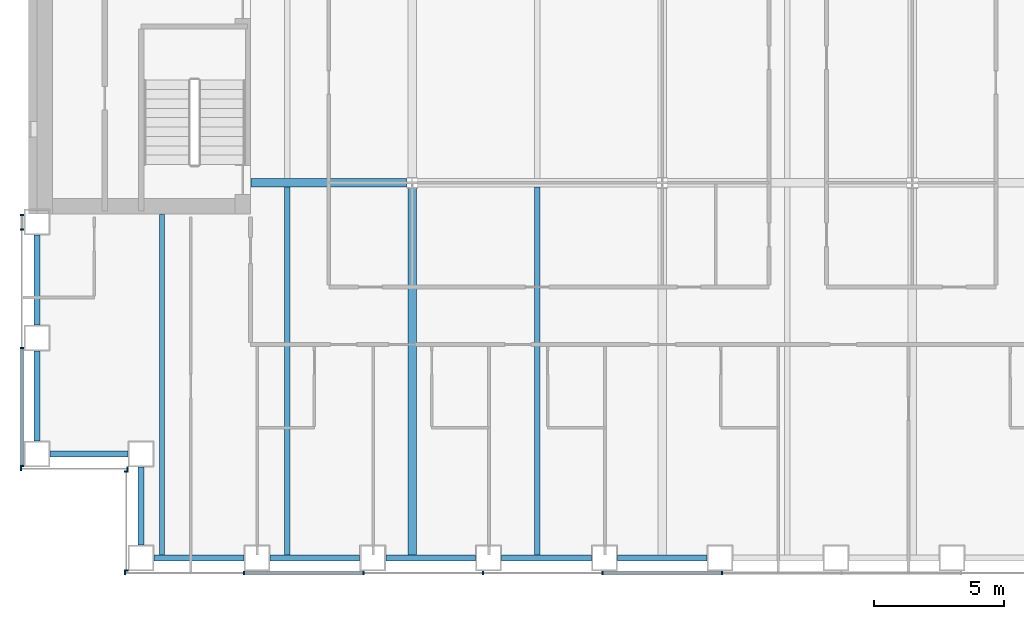
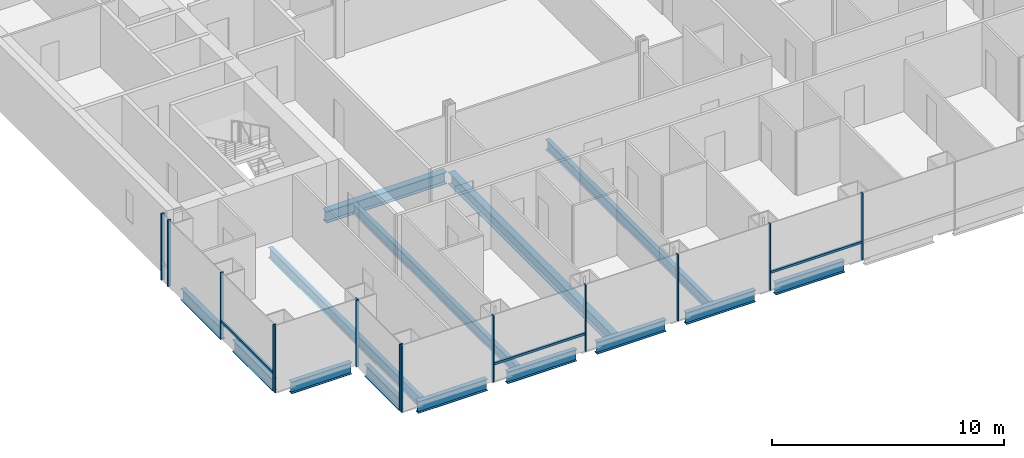
# One storey, part 2 of 23: 17 members, 14 beams, 4 elements without a shape of their own.
"""IFC4 building model written with IfcOpenShell, lengths in metres."""

from ifc_helpers import new_model, si_unit, direction, frame, origin, origin_2d, place, context, subcontext, project, spatial, rectangle, i_section, extrude, material, material_profile, profile_set, type_object, element, aggregate, save


model = new_model("IFC4")

# Units and contexts
model_context = context("Model", 3, precision=1e-05, world=origin(), true_north=direction((0.0, 1.0)))
body_context = subcontext(model_context, "Body", "Model", "MODEL_VIEW")
ifc_project = project(units=[si_unit("LENGTHUNIT", "METRE"), si_unit("AREAUNIT", "SQUARE_METRE"), si_unit("VOLUMEUNIT", "CUBIC_METRE"), si_unit("PLANEANGLEUNIT", "RADIAN"), si_unit("MASSUNIT", "GRAM", prefix="KILO")], contexts=[model_context])

# Site, building, storey
site_placement = place(None, origin())
site = spatial("IfcSite", under=ifc_project, at=site_placement, CompositionType="ELEMENT")
building_placement = place(site_placement, origin())
building = spatial("IfcBuilding", under=site, at=building_placement, Name="Cobrizo Arcos Hotel Tower", CompositionType="ELEMENT")
storey_placement = place(building_placement, frame((0.0, 0.0, 49.5)))
storey = spatial("IfcBuildingStorey", under=building, at=storey_placement, Name="L10", CompositionType="ELEMENT", Elevation=49.5)

# Curtain wall, members
ifc_material_1 = material(Name="Aluminium 6063-T6 anodised bronze", Category="aluminium")
curtain_wall_type = type_object("IfcCurtainWallType", Name="CW-A guest facade", PredefinedType="NOTDEFINED", material=ifc_material_1)
curtain_wall_1_placement = place(storey_placement, origin())
curtain_wall_1 = element("IfcCurtainWall", 1, at=curtain_wall_1_placement, inside=storey, type_object=curtain_wall_type, Name="CW-A L10 S face", PredefinedType="NOTDEFINED")
ifc_material_profile_1 = material_profile(ifc_material_1, rectangle(XDim=0.14990234375, YDim=0.06005859375, at=origin_2d()), Name="CW-A mullion 150x60")
ifc_profile_set_1 = profile_set([ifc_material_profile_1], Name="Aluminium 6063-T6 anodised bronze")
member_type_1 = type_object("IfcMemberType", Name="CW-A mullion 150x60", PredefinedType="MULLION", material=ifc_profile_set_1)
member_1_placement = place(storey_placement, frame((-20.6201171875, -24.574951171875, 0.0), z_axis=(0.0, 0.0, 1.0), x_axis=(0.0, -1.0, 0.0)))
member_1 = element("IfcMember", 2, at=member_1_placement, type_object=member_type_1, Name="CW-A mullion 1", PredefinedType="MULLION", context=body_context, shape_type="SweptSolid", body=[
    extrude(rectangle(XDim=0.14990234375, YDim=0.06005859375, at=origin_2d()), origin(), (0.0, 0.0, 1.0), 3.5),
])
member_2_placement = place(storey_placement, frame((-16.06103515625, -24.574951171875, 0.0), z_axis=(0.0, 0.0, 1.0), x_axis=(0.0, -1.0, 0.0)))
member_2 = element("IfcMember", 3, at=member_2_placement, type_object=member_type_1, Name="CW-A mullion 2", PredefinedType="MULLION", context=body_context, shape_type="SweptSolid", body=[
    extrude(rectangle(XDim=0.14990234375, YDim=0.06005859375, at=origin_2d()), origin(), (0.0, 0.0, 1.0), 3.5),
])
member_3_placement = place(storey_placement, frame((-11.47216796875, -24.574951171875, 0.0), z_axis=(0.0, 0.0, 1.0), x_axis=(0.0, -1.0, 0.0)))
member_3 = element("IfcMember", 4, at=member_3_placement, type_object=member_type_1, Name="CW-A mullion 3", PredefinedType="MULLION", context=body_context, shape_type="SweptSolid", body=[
    extrude(rectangle(XDim=0.14990234375, YDim=0.06005859375, at=origin_2d()), origin(), (0.0, 0.0, 1.0), 3.5),
])
member_4_placement = place(storey_placement, frame((-6.88330078125, -24.574951171875, 0.0), z_axis=(0.0, 0.0, 1.0), x_axis=(0.0, -1.0, 0.0)))
member_4 = element("IfcMember", 5, at=member_4_placement, type_object=member_type_1, Name="CW-A mullion 4", PredefinedType="MULLION", context=body_context, shape_type="SweptSolid", body=[
    extrude(rectangle(XDim=0.14990234375, YDim=0.06005859375, at=origin_2d()), origin(), (0.0, 0.0, 1.0), 3.5),
])
member_5_placement = place(storey_placement, frame((-2.29443359375, -24.574951171875, 0.0), z_axis=(0.0, 0.0, 1.0), x_axis=(0.0, -1.0, 0.0)))
member_5 = element("IfcMember", 6, at=member_5_placement, type_object=member_type_1, Name="CW-A mullion 5", PredefinedType="MULLION", context=body_context, shape_type="SweptSolid", body=[
    extrude(rectangle(XDim=0.14990234375, YDim=0.06005859375, at=origin_2d()), origin(), (0.0, 0.0, 1.0), 3.5),
])
member_6_placement = place(storey_placement, frame((2.29443359375, -24.574951171875, 0.0), z_axis=(0.0, 0.0, 1.0), x_axis=(0.0, -1.0, 0.0)))
member_6 = element("IfcMember", 7, at=member_6_placement, type_object=member_type_1, Name="CW-A mullion 6", PredefinedType="MULLION", context=body_context, shape_type="SweptSolid", body=[
    extrude(rectangle(XDim=0.14990234375, YDim=0.06005859375, at=origin_2d()), origin(), (0.0, 0.0, 1.0), 3.5),
])

curtain_wall_2_placement = place(storey_placement, origin())
curtain_wall_2 = element("IfcCurtainWall", 8, at=curtain_wall_2_placement, inside=storey, type_object=curtain_wall_type, Name="CW-A L10 W face", PredefinedType="NOTDEFINED")
member_7_placement = place(storey_placement, frame((-24.574951171875, -10.830078125, 0.0), z_axis=(0.0, 0.0, 1.0), x_axis=(-1.0, 0.0, 0.0)))
member_7 = element("IfcMember", 9, at=member_7_placement, type_object=member_type_1, Name="CW-A mullion 1", PredefinedType="MULLION", context=body_context, shape_type="SweptSolid", body=[
    extrude(rectangle(XDim=0.14990234375, YDim=0.06005859375, at=origin_2d()), origin(), (0.0, 0.0, 1.0), 3.5),
])
member_8_placement = place(storey_placement, frame((-24.574951171875, -11.388916015625, 0.0), z_axis=(0.0, 0.0, 1.0), x_axis=(-1.0, 0.0, 0.0)))
member_8 = element("IfcMember", 10, at=member_8_placement, type_object=member_type_1, Name="CW-A mullion 2", PredefinedType="MULLION", context=body_context, shape_type="SweptSolid", body=[
    extrude(rectangle(XDim=0.14990234375, YDim=0.06005859375, at=origin_2d()), origin(), (0.0, 0.0, 1.0), 3.5),
])
member_9_placement = place(storey_placement, frame((-24.574951171875, -15.9443359375, 0.0), z_axis=(0.0, 0.0, 1.0), x_axis=(-1.0, 0.0, 0.0)))
member_9 = element("IfcMember", 11, at=member_9_placement, type_object=member_type_1, Name="CW-A mullion 3", PredefinedType="MULLION", context=body_context, shape_type="SweptSolid", body=[
    extrude(rectangle(XDim=0.14990234375, YDim=0.06005859375, at=origin_2d()), origin(), (0.0, 0.0, 1.0), 3.5),
])
member_10_placement = place(storey_placement, frame((-24.574951171875, -20.469970703125, 0.0), z_axis=(0.0, 0.0, 1.0), x_axis=(-1.0, 0.0, 0.0)))
member_10 = element("IfcMember", 12, at=member_10_placement, type_object=member_type_1, Name="CW-A mullion 4", PredefinedType="MULLION", context=body_context, shape_type="SweptSolid", body=[
    extrude(rectangle(XDim=0.14990234375, YDim=0.06005859375, at=origin_2d()), origin(), (0.0, 0.0, 1.0), 3.5),
])

curtain_wall_3_placement = place(storey_placement, origin())
curtain_wall_3 = element("IfcCurtainWall", 13, at=curtain_wall_3_placement, inside=storey, type_object=curtain_wall_type, Name="CW-A L10 S face", PredefinedType="NOTDEFINED")
member_11_placement = place(storey_placement, frame((-24.6201171875, -20.574951171875, 0.0), z_axis=(0.0, 0.0, 1.0), x_axis=(0.0, -1.0, 0.0)))
member_11 = element("IfcMember", 14, at=member_11_placement, type_object=member_type_1, Name="CW-A mullion 1", PredefinedType="MULLION", context=body_context, shape_type="SweptSolid", body=[
    extrude(rectangle(XDim=0.14990234375, YDim=0.06005859375, at=origin_2d()), origin(), (0.0, 0.0, 1.0), 3.5),
])
member_12_placement = place(storey_placement, frame((-20.530029296875, -20.574951171875, 0.0), z_axis=(0.0, 0.0, 1.0), x_axis=(0.0, -1.0, 0.0)))
member_12 = element("IfcMember", 15, at=member_12_placement, type_object=member_type_1, Name="CW-A mullion 2", PredefinedType="MULLION", context=body_context, shape_type="SweptSolid", body=[
    extrude(rectangle(XDim=0.14990234375, YDim=0.06005859375, at=origin_2d()), origin(), (0.0, 0.0, 1.0), 3.5),
])
aggregate(curtain_wall_3, [member_11, member_12])

curtain_wall_4_placement = place(storey_placement, origin())
curtain_wall_4 = element("IfcCurtainWall", 16, at=curtain_wall_4_placement, inside=storey, type_object=curtain_wall_type, Name="CW-A L10 W face", PredefinedType="NOTDEFINED")
member_13_placement = place(storey_placement, frame((-20.574951171875, -20.679931640625, 0.0), z_axis=(0.0, 0.0, 1.0), x_axis=(-1.0, 0.0, 0.0)))
member_13 = element("IfcMember", 17, at=member_13_placement, type_object=member_type_1, Name="CW-A mullion 1", PredefinedType="MULLION", context=body_context, shape_type="SweptSolid", body=[
    extrude(rectangle(XDim=0.14990234375, YDim=0.06005859375, at=origin_2d()), origin(), (0.0, 0.0, 1.0), 3.5),
])
member_14_placement = place(storey_placement, frame((-20.574951171875, -24.469970703125, 0.0), z_axis=(0.0, 0.0, 1.0), x_axis=(-1.0, 0.0, 0.0)))
member_14 = element("IfcMember", 18, at=member_14_placement, type_object=member_type_1, Name="CW-A mullion 2", PredefinedType="MULLION", context=body_context, shape_type="SweptSolid", body=[
    extrude(rectangle(XDim=0.14990234375, YDim=0.06005859375, at=origin_2d()), origin(), (0.0, 0.0, 1.0), 3.5),
])
aggregate(curtain_wall_4, [member_13, member_14])

# Member
ifc_material_profile_2 = material_profile(ifc_material_1, rectangle(XDim=0.10009765625, YDim=0.1201171875, at=origin_2d()), Name="CW-A transom 120x100")
ifc_profile_set_2 = profile_set([ifc_material_profile_2], Name="Aluminium 6063-T6 anodised bronze")
member_type_2 = type_object("IfcMemberType", Name="CW-A transom 120x100", PredefinedType="USERDEFINED", material=ifc_profile_set_2)
member_15_placement = place(storey_placement, frame((-16.031005859375, -24.574951171875, 0.929931640625), z_axis=(1.0, 0.0, 0.0), x_axis=(0.0, 1.0, 0.0)))
member_15 = element("IfcMember", 19, at=member_15_placement, type_object=member_type_2, Name="CW-A transom 476", ObjectType="TRANSOM", PredefinedType="USERDEFINED", context=body_context, shape_type="SweptSolid", body=[
    extrude(rectangle(XDim=0.10009765625, YDim=0.1201171875, at=origin_2d()), origin(), (0.0, 0.0, 1.0), 4.52880859375),
])

member_16_placement = place(storey_placement, frame((-2.264404296875, -24.574951171875, 0.929931640625), z_axis=(1.0, 0.0, 0.0), x_axis=(0.0, 1.0, 0.0)))
member_16 = element("IfcMember", 20, at=member_16_placement, type_object=member_type_2, Name="CW-A transom 479", ObjectType="TRANSOM", PredefinedType="USERDEFINED", context=body_context, shape_type="SweptSolid", body=[
    extrude(rectangle(XDim=0.10009765625, YDim=0.1201171875, at=origin_2d()), origin(), (0.0, 0.0, 1.0), 4.52880859375),
])

aggregate(curtain_wall_1, [member_1, member_2, member_3, member_4, member_5, member_6, member_15, member_16])

member_17_placement = place(storey_placement, frame((-24.574951171875, -15.974365234375, 0.929931640625), z_axis=(0.0, -1.0, 0.0), x_axis=(1.0, 0.0, 0.0)))
member_17 = element("IfcMember", 21, at=member_17_placement, type_object=member_type_2, Name="CW-A transom 510", ObjectType="TRANSOM", PredefinedType="USERDEFINED", context=body_context, shape_type="SweptSolid", body=[
    extrude(rectangle(XDim=0.10009765625, YDim=0.1201171875, at=origin_2d()), origin(), (0.0, 0.0, 1.0), 4.465576171875),
])

aggregate(curtain_wall_2, [member_7, member_8, member_9, member_10, member_17])

# Beams
ifc_material_2 = material(Name="Steel ASTM A992 Grade 50", Category="steel")
ifc_material_profile_3 = material_profile(ifc_material_2, i_section(OverallWidth=0.209228515625, OverallDepth=0.533447265625, WebThickness=0.01025390625, FlangeThickness=0.015625, at=origin_2d()), Name="W21X62")
ifc_profile_set_3 = profile_set([ifc_material_profile_3], Name="Steel ASTM A992 Grade 50")
beam_type_1 = type_object("IfcBeamType", Name="W21X62 joist", PredefinedType="JOIST", material=ifc_profile_set_3)
beam_1_placement = place(storey_placement, frame((-19.199951171875, -23.909912109375, -0.416748046875), z_axis=(0.0, 1.0, 0.0), x_axis=(-1.0, 0.0, 0.0)))
element("IfcBeam", 22, at=beam_1_placement, inside=storey, type_object=beam_type_1, Name="Floor joist J1, L10, no. 001", PredefinedType="JOIST", context=body_context, shape_type="SweptSolid", body=[
    extrude(i_section(OverallWidth=0.209228515625, OverallDepth=0.533447265625, WebThickness=0.01025390625, FlangeThickness=0.015625, at=origin_2d()), origin(), (0.0, 0.0, 1.0), 13.099853515625),
])
for number, where, z_axis, x_axis, name in (
    (23, (-14.39990234375, -23.909912109375, -0.416748046875), (0.0, 1.0, 0.0), (-1.0, 0.0, 0.0), "Floor joist J1, L10, no. 003"),
    (24, (-4.800048828125, -23.909912109375, -0.416748046875), (0.0, 1.0, 0.0), (-1.0, 0.0, 0.0), "Floor joist J1, L10, no. 007"),
):
    element("IfcBeam", number, at=place(storey_placement, frame(where, z_axis=z_axis, x_axis=x_axis)), inside=storey, type_object=beam_type_1, Name=name, PredefinedType="JOIST", context=body_context, shape_type="SweptSolid", body=[
        extrude(i_section(OverallWidth=0.209228515625, OverallDepth=0.533447265625, WebThickness=0.01025390625, FlangeThickness=0.015625, at=origin_2d()), origin(), (0.0, 0.0, 1.0), 14.14599609375),
    ])
ifc_material_profile_4 = material_profile(ifc_material_2, i_section(OverallWidth=0.32763671875, OverallDepth=0.622314453125, WebThickness=0.015380859375, FlangeThickness=0.0244140625, at=origin_2d()), Name="W24X131")
ifc_profile_set_4 = profile_set([ifc_material_profile_4], Name="Steel ASTM A992 Grade 50")
beam_type_2 = type_object("IfcBeamType", Name="W24X131 girder", PredefinedType="BEAM", material=ifc_profile_set_4)
beam_2_placement = place(storey_placement, frame((-15.7900390625, -9.60009765625, -0.461181640625), z_axis=(1.0, 0.0, 0.0), x_axis=(0.0, 1.0, 0.0)))
element("IfcBeam", 25, at=beam_2_placement, inside=storey, type_object=beam_type_2, Name="Floor girder G1, L10, no. 001", PredefinedType="BEAM", context=body_context, shape_type="SweptSolid", body=[
    extrude(i_section(OverallWidth=0.32763671875, OverallDepth=0.622314453125, WebThickness=0.015380859375, FlangeThickness=0.0244140625, at=origin_2d()), origin(), (0.0, 0.0, 1.0), 5.985595703125),
])
beam_3_placement = place(storey_placement, frame((-9.60009765625, -23.909912109375, -0.461181640625), z_axis=(0.0, 1.0, 0.0), x_axis=(-1.0, 0.0, 0.0)))
element("IfcBeam", 26, at=beam_3_placement, inside=storey, type_object=beam_type_2, Name="Floor girder G1, L10, no. 013", PredefinedType="BEAM", context=body_context, shape_type="SweptSolid", body=[
    extrude(i_section(OverallWidth=0.32763671875, OverallDepth=0.622314453125, WebThickness=0.015380859375, FlangeThickness=0.0244140625, at=origin_2d()), origin(), (0.0, 0.0, 1.0), 14.10546875),
])
ifc_material_profile_5 = material_profile(ifc_material_2, i_section(OverallWidth=0.23046875, OverallDepth=0.6171875, WebThickness=0.01318359375, FlangeThickness=0.022216796875, at=origin_2d()), Name="W24X94")
ifc_profile_set_5 = profile_set([ifc_material_profile_5], Name="Steel ASTM A992 Grade 50")
beam_type_3 = type_object("IfcBeamType", Name="W24X94 spandrel", PredefinedType="SPANDREL", material=ifc_profile_set_5)
beam_4_placement = place(storey_placement, frame((-19.5, -24.0, -0.45849609375), z_axis=(1.0, 0.0, 0.0), x_axis=(0.0, 1.0, 0.0)))
element("IfcBeam", 27, at=beam_4_placement, inside=storey, type_object=beam_type_3, Name="Spandrel beam W24X94, L10, no. 001", PredefinedType="SPANDREL", context=body_context, shape_type="SweptSolid", body=[
    extrude(i_section(OverallWidth=0.23046875, OverallDepth=0.6171875, WebThickness=0.01318359375, FlangeThickness=0.022216796875, at=origin_2d()), origin(), (0.0, 0.0, 1.0), 3.444091796875),
])
beam_5_placement = place(storey_placement, frame((-15.055908203125, -24.0, -0.45849609375), z_axis=(1.0, 0.0, 0.0), x_axis=(0.0, 1.0, 0.0)))
element("IfcBeam", 28, at=beam_5_placement, inside=storey, type_object=beam_type_3, Name="Spandrel beam W24X94, L10, no. 002", PredefinedType="SPANDREL", context=body_context, shape_type="SweptSolid", body=[
    extrude(i_section(OverallWidth=0.23046875, OverallDepth=0.6171875, WebThickness=0.01318359375, FlangeThickness=0.022216796875, at=origin_2d()), origin(), (0.0, 0.0, 1.0), 3.44482421875),
])
beam_6_placement = place(storey_placement, frame((-10.611083984375, -24.0, -0.45849609375), z_axis=(1.0, 0.0, 0.0), x_axis=(0.0, 1.0, 0.0)))
element("IfcBeam", 29, at=beam_6_placement, inside=storey, type_object=beam_type_3, Name="Spandrel beam W24X94, L10, no. 003", PredefinedType="SPANDREL", context=body_context, shape_type="SweptSolid", body=[
    extrude(i_section(OverallWidth=0.23046875, OverallDepth=0.6171875, WebThickness=0.01318359375, FlangeThickness=0.022216796875, at=origin_2d()), origin(), (0.0, 0.0, 1.0), 3.444091796875),
])
beam_7_placement = place(storey_placement, frame((-6.1669921875, -24.0, -0.45849609375), z_axis=(1.0, 0.0, 0.0), x_axis=(0.0, 1.0, 0.0)))
element("IfcBeam", 30, at=beam_7_placement, inside=storey, type_object=beam_type_3, Name="Spandrel beam W24X94, L10, no. 004", PredefinedType="SPANDREL", context=body_context, shape_type="SweptSolid", body=[
    extrude(i_section(OverallWidth=0.23046875, OverallDepth=0.6171875, WebThickness=0.01318359375, FlangeThickness=0.022216796875, at=origin_2d()), origin(), (0.0, 0.0, 1.0), 3.445068359375),
])
beam_8_placement = place(storey_placement, frame((-1.721923828125, -24.0, -0.45849609375), z_axis=(1.0, 0.0, 0.0), x_axis=(0.0, 1.0, 0.0)))
element("IfcBeam", 31, at=beam_8_placement, inside=storey, type_object=beam_type_3, Name="Spandrel beam W24X94, L10, no. 005", PredefinedType="SPANDREL", context=body_context, shape_type="SweptSolid", body=[
    extrude(i_section(OverallWidth=0.23046875, OverallDepth=0.6171875, WebThickness=0.01318359375, FlangeThickness=0.022216796875, at=origin_2d()), origin(), (0.0, 0.0, 1.0), 3.44384765625),
])
beam_9_placement = place(storey_placement, frame((-24.0, -11.611083984375, -0.45849609375), z_axis=(0.0, -1.0, 0.0), x_axis=(1.0, 0.0, 0.0)))
element("IfcBeam", 32, at=beam_9_placement, inside=storey, type_object=beam_type_3, Name="Spandrel beam W24X94, L10, no. 031", PredefinedType="SPANDREL", context=body_context, shape_type="SweptSolid", body=[
    extrude(i_section(OverallWidth=0.23046875, OverallDepth=0.6171875, WebThickness=0.01318359375, FlangeThickness=0.022216796875, at=origin_2d()), origin(), (0.0, 0.0, 1.0), 3.44482421875),
])
beam_10_placement = place(storey_placement, frame((-24.0, -16.055908203125, -0.45849609375), z_axis=(0.0, -1.0, 0.0), x_axis=(1.0, 0.0, 0.0)))
element("IfcBeam", 33, at=beam_10_placement, inside=storey, type_object=beam_type_3, Name="Spandrel beam W24X94, L10, no. 032", PredefinedType="SPANDREL", context=body_context, shape_type="SweptSolid", body=[
    extrude(i_section(OverallWidth=0.23046875, OverallDepth=0.6171875, WebThickness=0.01318359375, FlangeThickness=0.022216796875, at=origin_2d()), origin(), (0.0, 0.0, 1.0), 3.444091796875),
])
for number, where, z_axis, x_axis, name in (
    (34, (-23.5, -20.0, -0.45849609375), (1.0, 0.0, 0.0), (0.0, 1.0, 0.0), "Spandrel beam W24X94, L10, no. 033"),
    (35, (-20.0, -20.5, -0.45849609375), (0.0, -1.0, 0.0), (1.0, 0.0, 0.0), "Spandrel beam W24X94, L10, no. 034"),
):
    element("IfcBeam", number, at=place(storey_placement, frame(where, z_axis=z_axis, x_axis=x_axis)), inside=storey, type_object=beam_type_3, Name=name, PredefinedType="SPANDREL", context=body_context, shape_type="SweptSolid", body=[
        extrude(i_section(OverallWidth=0.23046875, OverallDepth=0.6171875, WebThickness=0.01318359375, FlangeThickness=0.022216796875, at=origin_2d()), origin(), (0.0, 0.0, 1.0), 3.0),
    ])

save(model, "model.ifc")
